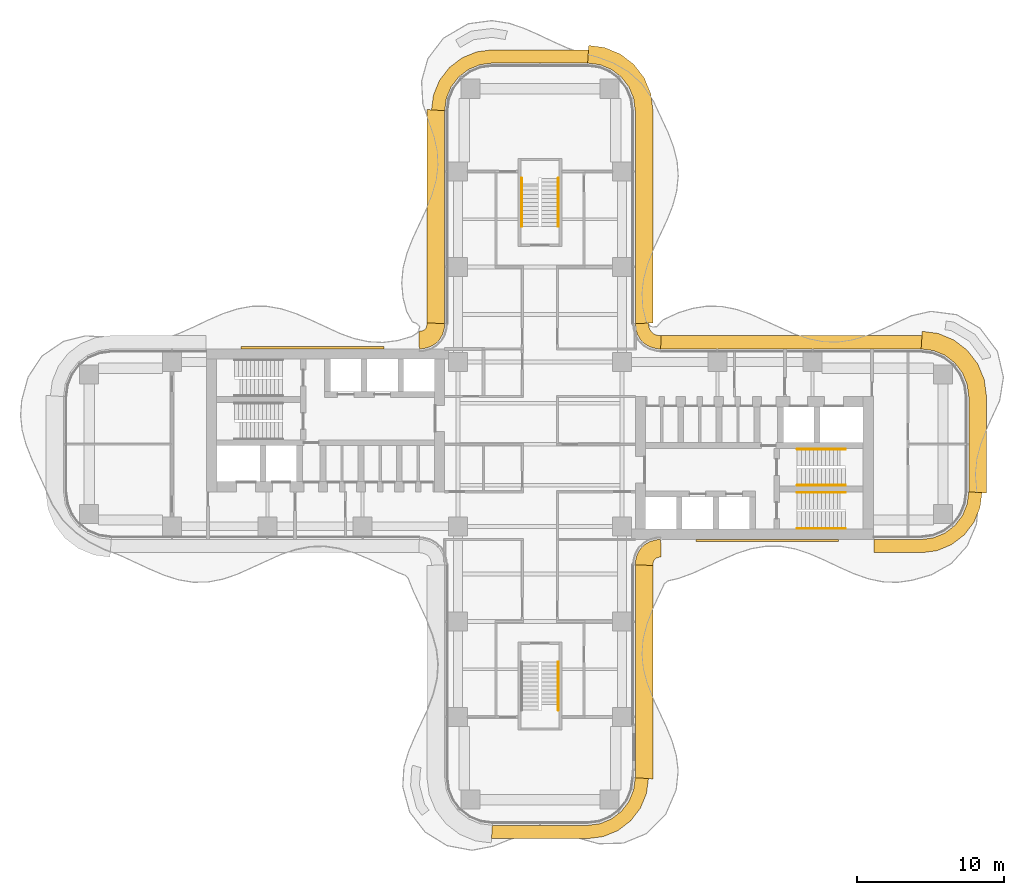
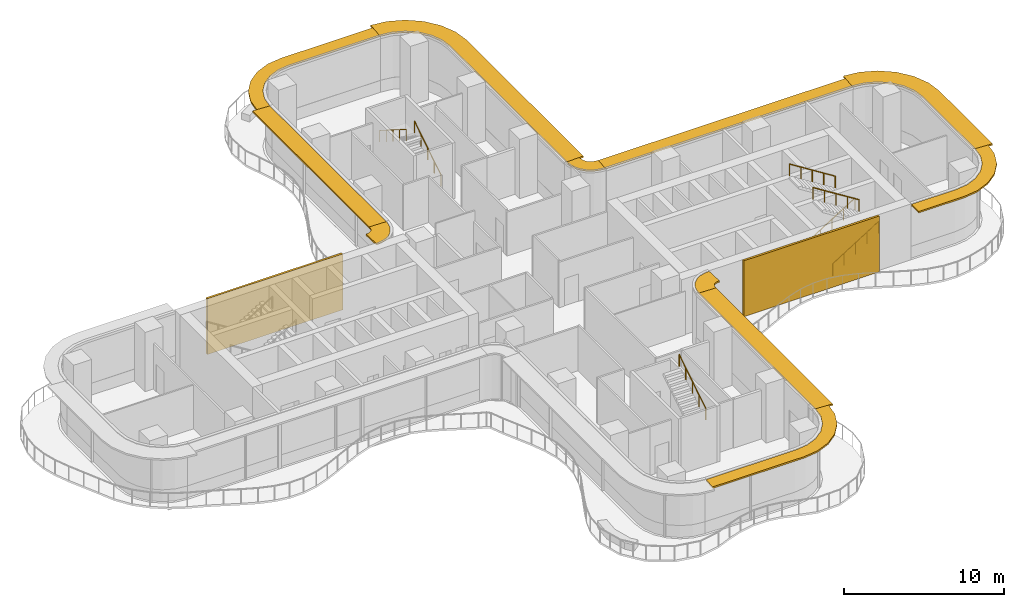
# One storey, part 21 of 21: 11 shading devices, 7 railings, 2 coverings.
"""IFC4 building model written with IfcOpenShell, lengths in metres."""

from ifc_helpers import new_model, si_unit, direction, frame, origin, origin_2d, place, context, subcontext, project, spatial, polyline, circle, outline, extrude, source, transform, mapped, material, layer, layer_set, type_object, element, save


model = new_model("IFC4")

# Units and contexts
model_context = context("Model", 3, precision=1e-05, world=origin(), true_north=direction((0.0, 1.0)))
body_context = subcontext(model_context, "Body", "Model", "MODEL_VIEW")
ifc_project = project(units=[si_unit("LENGTHUNIT", "METRE"), si_unit("AREAUNIT", "SQUARE_METRE"), si_unit("VOLUMEUNIT", "CUBIC_METRE"), si_unit("PLANEANGLEUNIT", "RADIAN"), si_unit("MASSUNIT", "GRAM", prefix="KILO")], contexts=[model_context])

# Site, building, storey
site_placement = place(None, origin())
site = spatial("IfcSite", under=ifc_project, at=site_placement, CompositionType="ELEMENT")
building_placement = place(site_placement, origin())
building = spatial("IfcBuilding", under=site, at=building_placement, Name="Trellis Farm Tower", CompositionType="ELEMENT")
storey_placement = place(building_placement, frame((0.0, 0.0, 138.0)))
storey = spatial("IfcBuildingStorey", under=building, at=storey_placement, Name="L29", CompositionType="ELEMENT", Elevation=138.0)

# Railings
ifc_material_1 = material(Name="Stainless steel", Category="steel")
railing_type = type_object("IfcRailingType", Name="STAIR HANDRAIL 900", PredefinedType="HANDRAIL", material=ifc_material_1)
shared_shape_1 = source(origin(), body_context, "Body", "SweptSolid", [
    extrude(circle(Radius=0.02392578125, at=origin_2d()), frame((0.0, 0.0, 0.8759765625), z_axis=(0.0, 0.846319618018, 0.532675421018), x_axis=(-1.0, 0.0, 0.0)), (0.0, 0.0, 1.0), 3.89892578125),
    extrude(circle(Radius=0.02099609375, at=origin_2d()), origin(), (0.0, 0.0, 1.0), 0.851806640625),
    extrude(circle(Radius=0.02099609375, at=origin_2d()), frame((0.0, 0.824951171875, 0.519287109375)), (0.0, 0.0, 1.0), 0.851806640625),
    extrude(circle(Radius=0.02099609375, at=origin_2d()), frame((0.0, 1.64990234375, 1.03857421875)), (0.0, 0.0, 1.0), 0.851806640625),
    extrude(circle(Radius=0.02099609375, at=origin_2d()), frame((0.0, 2.474853515625, 1.5576171875)), (0.0, 0.0, 1.0), 0.851806640625),
    extrude(circle(Radius=0.02099609375, at=origin_2d()), frame((0.0, 3.2998046875, 2.076904296875)), (0.0, 0.0, 1.0), 0.851806640625),
])
for number, where, name in (
    (1, (1.25, 14.85009765625, 0.173095703125), "Stair handrail"),
    (2, (1.25, -18.14990234375, 2.423095703125), "Stair handrail"),
):
    element("IfcRailing", number, at=place(storey_placement, frame(where)), inside=storey, type_object=railing_type, Name=name, PredefinedType="HANDRAIL", context=body_context, shape_type="MappedRepresentation", body=[
        mapped(shared_shape_1, transform((0.0, 0.0, 0.0))),
    ])
shared_shape_2 = source(origin(), body_context, "Body", "SweptSolid", [
    extrude(circle(Radius=0.02392578125, at=origin_2d()), frame((0.0, 0.0, 0.8759765625), z_axis=(0.0, -0.846319618018, 0.532675421018), x_axis=(1.0, 0.0, 0.0)), (0.0, 0.0, 1.0), 3.89892578125),
    extrude(circle(Radius=0.02099609375, at=origin_2d()), origin(), (0.0, 0.0, 1.0), 0.851806640625),
    extrude(circle(Radius=0.02099609375, at=origin_2d()), frame((0.0, -0.824951171875, 0.519287109375)), (0.0, 0.0, 1.0), 0.851806640625),
    extrude(circle(Radius=0.02099609375, at=origin_2d()), frame((0.0, -1.64990234375, 1.03857421875)), (0.0, 0.0, 1.0), 0.851806640625),
    extrude(circle(Radius=0.02099609375, at=origin_2d()), frame((0.0, -2.474853515625, 1.5576171875)), (0.0, 0.0, 1.0), 0.851806640625),
    extrude(circle(Radius=0.02099609375, at=origin_2d()), frame((0.0, -3.2998046875, 2.076904296875)), (0.0, 0.0, 1.0), 0.851806640625),
])
railing_placement = place(storey_placement, frame((-1.25, 18.14990234375, 2.423095703125)))
element("IfcRailing", 3, at=railing_placement, inside=storey, type_object=railing_type, Name="Stair handrail", PredefinedType="HANDRAIL", context=body_context, shape_type="MappedRepresentation", body=[
    mapped(shared_shape_2, transform((0.0, 0.0, 0.0))),
])
shared_shape_3 = source(origin(), body_context, "Body", "SweptSolid", [
    extrude(circle(Radius=0.02392578125, at=origin_2d()), frame((0.0, 0.0, 0.8759765625), z_axis=(0.846337383501, 0.0, 0.532647194011), x_axis=(0.0, 1.0, 0.0)), (0.0, 0.0, 1.0), 3.899169921875),
    extrude(circle(Radius=0.02099609375, at=origin_2d()), origin(), (0.0, 0.0, 1.0), 0.851806640625),
    extrude(circle(Radius=0.02099609375, at=origin_2d()), frame((0.824951171875, 0.0, 0.519287109375)), (0.0, 0.0, 1.0), 0.851806640625),
    extrude(circle(Radius=0.02099609375, at=origin_2d()), frame((1.64990234375, 0.0, 1.03857421875)), (0.0, 0.0, 1.0), 0.851806640625),
    extrude(circle(Radius=0.02099609375, at=origin_2d()), frame((2.47509765625, 0.0, 1.5576171875)), (0.0, 0.0, 1.0), 0.851806640625),
    extrude(circle(Radius=0.02099609375, at=origin_2d()), frame((3.300048828125, 0.0, 2.076904296875)), (0.0, 0.0, 1.0), 0.851806640625),
])
for number, where, name in (
    (4, (17.550048828125, -5.75, 0.173095703125), "Stair handrail"),
    (5, (17.550048828125, -2.800048828125, 0.173095703125), "Stair handrail"),
):
    element("IfcRailing", number, at=place(storey_placement, frame(where)), inside=storey, type_object=railing_type, Name=name, PredefinedType="HANDRAIL", context=body_context, shape_type="MappedRepresentation", body=[
        mapped(shared_shape_3, transform((0.0, 0.0, 0.0))),
    ])
shared_shape_4 = source(origin(), body_context, "Body", "SweptSolid", [
    extrude(circle(Radius=0.02392578125, at=origin_2d()), frame((0.0, 0.0, 0.8759765625), z_axis=(-0.846337383501, 0.0, 0.532647194011), x_axis=(0.0, -1.0, 0.0)), (0.0, 0.0, 1.0), 3.899169921875),
    extrude(circle(Radius=0.02099609375, at=origin_2d()), origin(), (0.0, 0.0, 1.0), 0.851806640625),
    extrude(circle(Radius=0.02099609375, at=origin_2d()), frame((-0.824951171875, 0.0, 0.519287109375)), (0.0, 0.0, 1.0), 0.851806640625),
    extrude(circle(Radius=0.02099609375, at=origin_2d()), frame((-1.64990234375, 0.0, 1.03857421875)), (0.0, 0.0, 1.0), 0.851806640625),
    extrude(circle(Radius=0.02099609375, at=origin_2d()), frame((-2.47509765625, 0.0, 1.5576171875)), (0.0, 0.0, 1.0), 0.851806640625),
    extrude(circle(Radius=0.02099609375, at=origin_2d()), frame((-3.300048828125, 0.0, 2.076904296875)), (0.0, 0.0, 1.0), 0.851806640625),
])
for number, where, name in (
    (6, (20.85009765625, -3.300048828125, 2.423095703125), "Stair handrail"),
    (7, (20.85009765625, -0.35009765625, 2.423095703125), "Stair handrail"),
):
    element("IfcRailing", number, at=place(storey_placement, frame(where)), inside=storey, type_object=railing_type, Name=name, PredefinedType="HANDRAIL", context=body_context, shape_type="MappedRepresentation", body=[
        mapped(shared_shape_4, transform((0.0, 0.0, 0.0))),
    ])

# Shading devices
ifc_material_2 = material(Name="Aluminium extrusion 6063-T6", Category="aluminium")
ifc_layer_1 = layer(ifc_material_2, 0.1201171875)
ifc_layer_set_1 = layer_set([ifc_layer_1], Name="SUNSHADE BLADE 1200")
shading_device_type_1 = type_object("IfcShadingDeviceType", Name="SUNSHADE BLADE 1200", PredefinedType="USERDEFINED", material=ifc_layer_set_1)
shared_shape_5 = source(origin(), body_context, "Body", "SweptSolid", [
    extrude(outline(polyline([(7.699951171875, -8.270751953125), (7.708740234375, -8.13720703125), (7.70703125, -8.150146484375), (7.7548828125, -7.9716796875), (7.80712890625, -7.881103515625), (7.881103515625, -7.80712890625), (7.9716796875, -7.7548828125), (8.150146484375, -7.70703125), (8.13720703125, -7.708740234375), (8.270751953125, -7.699951171875), (8.2314453125, -6.5), (8.01953125, -6.513916015625), (7.91552734375, -6.527587890625), (7.508544921875, -6.63671875), (7.144287109375, -6.846923828125), (6.846923828125, -7.144287109375), (6.63671875, -7.508544921875), (6.527587890625, -7.91552734375), (6.513916015625, -8.01953125), (6.5, -8.2314453125), (7.699951171875, -8.270751953125)])), origin(), (0.0, 0.0, 1.0), 0.119873046875),
])
placement_1 = place(storey_placement, frame((0.0, 0.0, 4.090087890625)))
element("IfcShadingDevice", 8, at=placement_1, inside=storey, type_object=shading_device_type_1, Name="SD2 006", ObjectType="SUNSHADE", PredefinedType="USERDEFINED", context=body_context, shape_type="MappedRepresentation", body=[
    mapped(shared_shape_5, transform((0.0, 0.0, 0.0))),
])
ifc_layer_2 = layer(ifc_material_2, 0.1201171875)
ifc_layer_set_2 = layer_set([ifc_layer_2], Name="SUNSHADE BLADE 900")
shading_device_type_2 = type_object("IfcShadingDeviceType", Name="SUNSHADE BLADE 900", PredefinedType="USERDEFINED", material=ifc_layer_set_2)
shared_shape_6 = source(origin(), body_context, "Body", "SweptSolid", [
    extrude(outline(polyline([(8.2607421875, 7.39990234375), (8.107666015625, 7.409912109375), (8.091552734375, 7.412109375), (7.85595703125, 7.475341796875), (7.697021484375, 7.567138671875), (7.567138671875, 7.697021484375), (7.475341796875, 7.85595703125), (7.412109375, 8.091552734375), (7.409912109375, 8.107666015625), (7.39990234375, 8.2607421875), (6.5, 8.2314453125), (6.513916015625, 8.01953125), (6.527587890625, 7.91552734375), (6.63671875, 7.508544921875), (6.846923828125, 7.144287109375), (7.144287109375, 6.846923828125), (7.508544921875, 6.63671875), (7.91552734375, 6.527587890625), (8.01953125, 6.513916015625), (8.2314453125, 6.5), (8.2607421875, 7.39990234375)])), origin(), (0.0, 0.0, 1.0), 0.119873046875),
])
element("IfcShadingDevice", 9, at=placement_1, inside=storey, type_object=shading_device_type_2, Name="SD1 010", ObjectType="SUNSHADE", PredefinedType="USERDEFINED", context=body_context, shape_type="MappedRepresentation", body=[
    mapped(shared_shape_6, transform((0.0, 0.0, 0.0))),
])
shared_shape_7 = source(origin(), body_context, "Body", "SweptSolid", [
    extrude(outline(polyline([(-7.699951171875, 8.270751953125), (-7.708740234375, 8.13720703125), (-7.70703125, 8.150146484375), (-7.7548828125, 7.9716796875), (-7.80712890625, 7.881103515625), (-7.881103515625, 7.80712890625), (-7.9716796875, 7.7548828125), (-8.150146484375, 7.70703125), (-8.13720703125, 7.708740234375), (-8.270751953125, 7.699951171875), (-8.2314453125, 6.5), (-8.01953125, 6.513916015625), (-7.91552734375, 6.527587890625), (-7.508544921875, 6.63671875), (-7.144287109375, 6.846923828125), (-6.846923828125, 7.144287109375), (-6.63671875, 7.508544921875), (-6.527587890625, 7.91552734375), (-6.513916015625, 8.01953125), (-6.5, 8.2314453125), (-7.699951171875, 8.270751953125)])), origin(), (0.0, 0.0, 1.0), 0.119873046875),
])
element("IfcShadingDevice", 10, at=placement_1, inside=storey, type_object=shading_device_type_1, Name="SD2 014", ObjectType="SUNSHADE", PredefinedType="USERDEFINED", context=body_context, shape_type="MappedRepresentation", body=[
    mapped(shared_shape_7, transform((0.0, 0.0, 0.0))),
])

# Coverings
ifc_material_3 = material(Name="Perforated precast screen (cobogo)", Category="concrete")
ifc_layer_3 = layer(ifc_material_3, 0.14990234375)
ifc_layer_set_3 = layer_set([ifc_layer_3], Name="COBOGO SCREEN PANEL")
covering_type = type_object("IfcCoveringType", Name="COBOGO SCREEN PANEL", PredefinedType="USERDEFINED", material=ifc_layer_set_3)
shared_shape_8 = source(origin(), body_context, "Body", "SweptSolid", [
    extrude(outline(polyline([(10.630615234375, -6.64990234375), (20.380615234375, -6.64990234375), (20.380615234375, -6.5), (10.630615234375, -6.5), (10.630615234375, -6.64990234375)])), origin(), (0.0, 0.0, 1.0), 4.25),
])
placement_2 = place(storey_placement, origin())
element("IfcCovering", 11, at=placement_2, inside=storey, type_object=covering_type, Name="SC1 01", ObjectType="SCREEN", PredefinedType="USERDEFINED", context=body_context, shape_type="MappedRepresentation", body=[
    mapped(shared_shape_8, transform((0.0, 0.0, 0.0))),
])
shared_shape_9 = source(origin(), body_context, "Body", "SweptSolid", [
    extrude(outline(polyline([(-10.630615234375, 6.64990234375), (-20.380615234375, 6.64990234375), (-20.380615234375, 6.5), (-10.630615234375, 6.5), (-10.630615234375, 6.64990234375)])), origin(), (0.0, 0.0, 1.0), 4.25),
])
element("IfcCovering", 12, at=placement_2, inside=storey, type_object=covering_type, Name="SC1 02", ObjectType="SCREEN", PredefinedType="USERDEFINED", context=body_context, shape_type="MappedRepresentation", body=[
    mapped(shared_shape_9, transform((0.0, 0.0, 0.0))),
])

# Shading devices
shared_shape_10 = source(origin(), body_context, "Body", "SweptSolid", [
    extrude(outline(polyline([(7.699951171875, 8.270751953125), (7.699951171875, 22.82861328125), (7.558349609375, 23.904541015625), (7.11279296875, 24.980224609375), (6.404052734375, 25.904052734375), (5.480224609375, 26.61279296875), (4.404541015625, 27.058349609375), (3.32861328125, 27.199951171875), (3.25, 26.0), (4.091064453125, 25.88916015625), (4.875, 25.564697265625), (5.548095703125, 25.048095703125), (6.064697265625, 24.375), (6.38916015625, 23.591064453125), (6.5, 22.75), (6.5, 8.2314453125), (7.699951171875, 8.270751953125)])), origin(), (0.0, 0.0, 1.0), 0.119873046875),
])
element("IfcShadingDevice", 13, at=placement_1, inside=storey, type_object=shading_device_type_1, Name="SD2 011", ObjectType="SUNSHADE", PredefinedType="USERDEFINED", context=body_context, shape_type="MappedRepresentation", body=[
    mapped(shared_shape_10, transform((0.0, 0.0, 0.0))),
])
shared_shape_11 = source(origin(), body_context, "Body", "SweptSolid", [
    extrude(outline(polyline([(3.30908203125, 26.89990234375), (-3.30908203125, 26.89990234375), (-4.326171875, 26.76611328125), (-5.328857421875, 26.350830078125), (-6.18994140625, 25.68994140625), (-6.850830078125, 24.828857421875), (-7.26611328125, 23.826171875), (-7.39990234375, 22.80908203125), (-6.5, 22.75), (-6.38916015625, 23.591064453125), (-6.064697265625, 24.375), (-5.548095703125, 25.048095703125), (-4.875, 25.564697265625), (-4.091064453125, 25.88916015625), (-3.25, 26.0), (3.25, 26.0), (3.30908203125, 26.89990234375)])), origin(), (0.0, 0.0, 1.0), 0.119873046875),
])
element("IfcShadingDevice", 14, at=placement_1, inside=storey, type_object=shading_device_type_2, Name="SD1 012", ObjectType="SUNSHADE", PredefinedType="USERDEFINED", context=body_context, shape_type="MappedRepresentation", body=[
    mapped(shared_shape_11, transform((0.0, 0.0, 0.0))),
])
shared_shape_12 = source(origin(), body_context, "Body", "SweptSolid", [
    extrude(outline(polyline([(-7.699951171875, 22.82861328125), (-7.699951171875, 8.270751953125), (-6.5, 8.2314453125), (-6.5, 22.75), (-7.699951171875, 22.82861328125)])), origin(), (0.0, 0.0, 1.0), 0.119873046875),
])
element("IfcShadingDevice", 15, at=placement_1, inside=storey, type_object=shading_device_type_1, Name="SD2 013", ObjectType="SUNSHADE", PredefinedType="USERDEFINED", context=body_context, shape_type="MappedRepresentation", body=[
    mapped(shared_shape_12, transform((0.0, 0.0, 0.0))),
])
shared_shape_13 = source(origin(), body_context, "Body", "SweptSolid", [
    extrude(outline(polyline([(22.780029296875, -7.39990234375), (26.05908203125, -7.39990234375), (27.076171875, -7.26611328125), (28.078857421875, -6.850830078125), (28.93994140625, -6.18994140625), (29.600830078125, -5.328857421875), (30.01611328125, -4.326171875), (30.14990234375, -3.30908203125), (29.25, -3.25), (29.13916015625, -4.091064453125), (28.814697265625, -4.875), (28.298095703125, -5.548095703125), (27.625, -6.064697265625), (26.841064453125, -6.38916015625), (26.0, -6.5), (22.780029296875, -6.5), (22.780029296875, -7.39990234375)])), origin(), (0.0, 0.0, 1.0), 0.119873046875),
])
element("IfcShadingDevice", 16, at=placement_1, inside=storey, type_object=shading_device_type_2, Name="SD1 007", ObjectType="SUNSHADE", PredefinedType="USERDEFINED", context=body_context, shape_type="MappedRepresentation", body=[
    mapped(shared_shape_13, transform((0.0, 0.0, 0.0))),
])
shared_shape_14 = source(origin(), body_context, "Body", "SweptSolid", [
    extrude(outline(polyline([(30.449951171875, -3.32861328125), (30.449951171875, 3.32861328125), (30.308349609375, 4.404541015625), (29.86279296875, 5.480224609375), (29.154052734375, 6.404052734375), (28.230224609375, 7.11279296875), (27.154541015625, 7.558349609375), (26.07861328125, 7.699951171875), (26.0, 6.5), (26.841064453125, 6.38916015625), (27.625, 6.064697265625), (28.298095703125, 5.548095703125), (28.814697265625, 4.875), (29.13916015625, 4.091064453125), (29.25, 3.25), (29.25, -3.25), (30.449951171875, -3.32861328125)])), origin(), (0.0, 0.0, 1.0), 0.119873046875),
])
element("IfcShadingDevice", 17, at=placement_1, inside=storey, type_object=shading_device_type_1, Name="SD2 008", ObjectType="SUNSHADE", PredefinedType="USERDEFINED", context=body_context, shape_type="MappedRepresentation", body=[
    mapped(shared_shape_14, transform((0.0, 0.0, 0.0))),
])
shared_shape_15 = source(origin(), body_context, "Body", "SweptSolid", [
    extrude(outline(polyline([(26.05908203125, 7.39990234375), (8.2607421875, 7.39990234375), (8.2314453125, 6.5), (26.0, 6.5), (26.05908203125, 7.39990234375)])), origin(), (0.0, 0.0, 1.0), 0.119873046875),
])
element("IfcShadingDevice", 18, at=placement_1, inside=storey, type_object=shading_device_type_2, Name="SD1 009", ObjectType="SUNSHADE", PredefinedType="USERDEFINED", context=body_context, shape_type="MappedRepresentation", body=[
    mapped(shared_shape_15, transform((0.0, 0.0, 0.0))),
])
shared_shape_16 = source(origin(), body_context, "Body", "SweptSolid", [
    extrude(outline(polyline([(-3.30908203125, -26.89990234375), (3.30908203125, -26.89990234375), (4.326171875, -26.76611328125), (5.328857421875, -26.350830078125), (6.18994140625, -25.68994140625), (6.850830078125, -24.828857421875), (7.26611328125, -23.826171875), (7.39990234375, -22.80908203125), (6.5, -22.75), (6.38916015625, -23.591064453125), (6.064697265625, -24.375), (5.548095703125, -25.048095703125), (4.875, -25.564697265625), (4.091064453125, -25.88916015625), (3.25, -26.0), (-3.25, -26.0), (-3.30908203125, -26.89990234375)])), origin(), (0.0, 0.0, 1.0), 0.119873046875),
])
element("IfcShadingDevice", 19, at=placement_1, inside=storey, type_object=shading_device_type_2, Name="SD1 004", ObjectType="SUNSHADE", PredefinedType="USERDEFINED", context=body_context, shape_type="MappedRepresentation", body=[
    mapped(shared_shape_16, transform((0.0, 0.0, 0.0))),
])
shared_shape_17 = source(origin(), body_context, "Body", "SweptSolid", [
    extrude(outline(polyline([(7.699951171875, -22.82861328125), (7.699951171875, -8.270751953125), (6.5, -8.2314453125), (6.5, -22.75), (7.699951171875, -22.82861328125)])), origin(), (0.0, 0.0, 1.0), 0.119873046875),
])
element("IfcShadingDevice", 20, at=placement_1, inside=storey, type_object=shading_device_type_1, Name="SD2 005", ObjectType="SUNSHADE", PredefinedType="USERDEFINED", context=body_context, shape_type="MappedRepresentation", body=[
    mapped(shared_shape_17, transform((0.0, 0.0, 0.0))),
])

save(model, "model.ifc")
